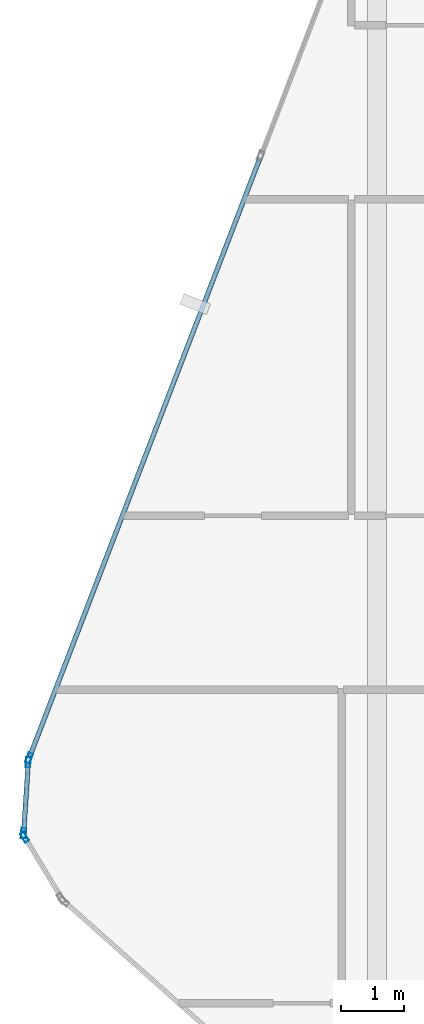
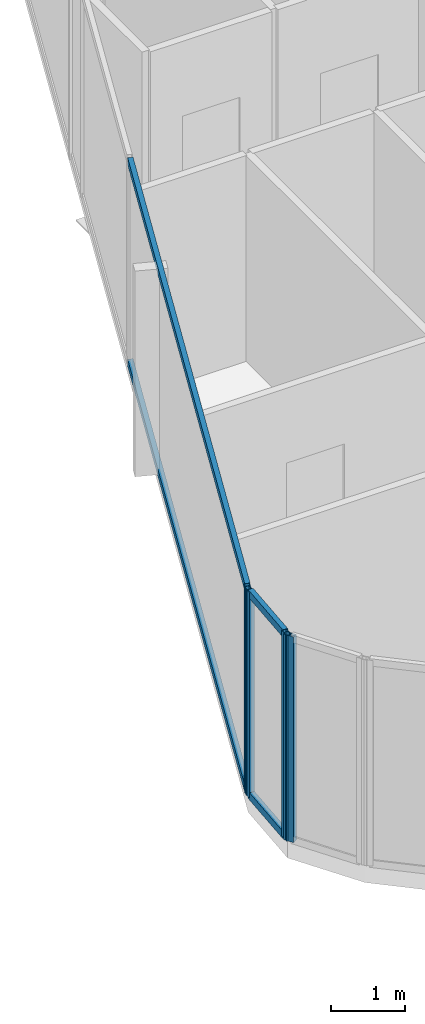
# One storey, part 8 of 27: 8 members, 3 elements without a shape of their own.
"""IFC4 building model written with IfcOpenShell, lengths in metres."""

from ifc_helpers import new_model, si_unit, direction, frame, origin, origin_2d, place, context, subcontext, project, spatial, hollow_rectangle, extrude, material, layer, layer_set, material_profile, profile_set, type_object, element, aggregate, save


model = new_model("IFC4")

# Units and contexts
model_context = context("Model", 3, precision=1e-05, world=origin(), true_north=direction((0.0, 1.0)))
body_context = subcontext(model_context, "Body", "Model", "MODEL_VIEW")
ifc_project = project(units=[si_unit("LENGTHUNIT", "METRE"), si_unit("AREAUNIT", "SQUARE_METRE"), si_unit("VOLUMEUNIT", "CUBIC_METRE"), si_unit("PLANEANGLEUNIT", "RADIAN"), si_unit("MASSUNIT", "GRAM", prefix="KILO")], contexts=[model_context])

# Site, building, storey
site_placement = place(None, origin())
site = spatial("IfcSite", under=ifc_project, at=site_placement, CompositionType="ELEMENT")
building_placement = place(site_placement, origin())
building = spatial("IfcBuilding", under=site, at=building_placement, Name="Keshet Zoharim Tower", CompositionType="ELEMENT")
storey_placement = place(building_placement, frame((0.0, 0.0, 295.39990234375)))
storey = spatial("IfcBuildingStorey", under=building, at=storey_placement, Name="L74", CompositionType="ELEMENT", Elevation=295.39990234375)

# Curtain wall, member
ifc_material = material(Name="Aluminium 6063-T6", Category="aluminium")
ifc_layer = layer(ifc_material, 0.260009765625)
ifc_layer_set = layer_set([ifc_layer], Name="Aluminium 6063-T6")
curtain_wall_type = type_object("IfcCurtainWallType", Name="CW-SYS-06", PredefinedType="NOTDEFINED", material=ifc_layer_set)
curtain_wall_1_placement = place(storey_placement, origin())
curtain_wall_1 = element("IfcCurtainWall", 1, at=curtain_wall_1_placement, inside=storey, type_object=curtain_wall_type, Name="L74 Unitised Curtain Wall 01", PredefinedType="NOTDEFINED")
ifc_material_profile_1 = material_profile(ifc_material, hollow_rectangle(XDim=0.074951171875, YDim=0.159912109375, WallThickness=0.00390625, at=origin_2d()), Name="MUL-75x160")
ifc_profile_set_1 = profile_set([ifc_material_profile_1], Name="Aluminium 6063-T6")
member_type_1 = type_object("IfcMemberType", Name="CWM-M15", PredefinedType="MULLION", material=ifc_profile_set_1)
member_1_placement = place(storey_placement, frame((3.43798828125, 22.77197265625, 0.0), z_axis=(0.0, 0.0, 1.0), x_axis=(-0.856826433805, -0.515604947933, 0.0)))
member_1 = element("IfcMember", 2, at=member_1_placement, type_object=member_type_1, Name="CW-06 mullion 2", PredefinedType="MULLION", context=body_context, shape_type="SweptSolid", body=[
    extrude(hollow_rectangle(XDim=0.074951171875, YDim=0.159912109375, WallThickness=0.00390625, at=origin_2d()), origin(), (0.0, 0.0, 1.0), 3.380126953125),
])
aggregate(curtain_wall_1, [member_1])

# Curtain wall, members
curtain_wall_2_placement = place(storey_placement, origin())
curtain_wall_2 = element("IfcCurtainWall", 3, at=curtain_wall_2_placement, inside=storey, type_object=curtain_wall_type, Name="L74 Unitised Curtain Wall 02", PredefinedType="NOTDEFINED")
member_2_placement = place(storey_placement, frame((3.42236328125, 22.8369140625, 0.0), z_axis=(0.0, 0.0, 1.0), x_axis=(-0.997916617186, 0.064516859374, 0.0)))
member_2 = element("IfcMember", 4, at=member_2_placement, type_object=member_type_1, Name="CW-06 mullion 1", PredefinedType="MULLION", context=body_context, shape_type="SweptSolid", body=[
    extrude(hollow_rectangle(XDim=0.074951171875, YDim=0.159912109375, WallThickness=0.00390625, at=origin_2d()), origin(), (0.0, 0.0, 1.0), 3.380126953125),
])
member_3_placement = place(storey_placement, frame((3.49462890625, 23.9580078125, 0.0), z_axis=(0.0, 0.0, 1.0), x_axis=(-0.997916617186, 0.064516859374, 0.0)))
member_3 = element("IfcMember", 5, at=member_3_placement, type_object=member_type_1, Name="CW-06 mullion 2", PredefinedType="MULLION", context=body_context, shape_type="SweptSolid", body=[
    extrude(hollow_rectangle(XDim=0.074951171875, YDim=0.159912109375, WallThickness=0.00390625, at=origin_2d()), origin(), (0.0, 0.0, 1.0), 3.380126953125),
])

# Curtain wall, member
curtain_wall_3_placement = place(storey_placement, origin())
curtain_wall_3 = element("IfcCurtainWall", 6, at=curtain_wall_3_placement, inside=storey, type_object=curtain_wall_type, Name="L74 Unitised Curtain Wall 03", PredefinedType="NOTDEFINED")
member_4_placement = place(storey_placement, frame((3.509521484375, 24.025634765625, 0.0), z_axis=(0.0, 0.0, 1.0), x_axis=(-0.933341404361, 0.358990003907, 0.0)))
member_4 = element("IfcMember", 7, at=member_4_placement, type_object=member_type_1, Name="CW-06 mullion 1", PredefinedType="MULLION", context=body_context, shape_type="SweptSolid", body=[
    extrude(hollow_rectangle(XDim=0.074951171875, YDim=0.159912109375, WallThickness=0.00390625, at=origin_2d()), origin(), (0.0, 0.0, 1.0), 3.380126953125),
])

# Member
ifc_material_profile_2 = material_profile(ifc_material, hollow_rectangle(XDim=0.074951171875, YDim=0.1201171875, WallThickness=0.00390625, at=origin_2d()), Name="TRN-75x120")
ifc_profile_set_2 = profile_set([ifc_material_profile_2], Name="Aluminium 6063-T6")
member_type_2 = type_object("IfcMemberType", Name="CWT-T12", PredefinedType="USERDEFINED", material=ifc_profile_set_2)
member_5_placement = place(storey_placement, frame((3.424560546875, 22.871826171875, 0.03515625), z_axis=(0.064426947155, 0.997922426083, 0.0), x_axis=(-0.997922426083, 0.064426947155, 0.0)))
member_5 = element("IfcMember", 8, at=member_5_placement, type_object=member_type_2, Name="CW-06 transom 1.1", ObjectType="TRANSOM", PredefinedType="USERDEFINED", context=body_context, shape_type="SweptSolid", body=[
    extrude(hollow_rectangle(XDim=0.074951171875, YDim=0.1201171875, WallThickness=0.00390625, at=origin_2d()), origin(), (0.0, 0.0, 1.0), 1.053466796875),
])

member_6_placement = place(storey_placement, frame((3.424560546875, 22.871826171875, 3.34521484375), z_axis=(0.064426947155, 0.997922426083, 0.0), x_axis=(-0.997922426083, 0.064426947155, 0.0)))
member_6 = element("IfcMember", 9, at=member_6_placement, type_object=member_type_2, Name="CW-06 transom 1.2", ObjectType="TRANSOM", PredefinedType="USERDEFINED", context=body_context, shape_type="SweptSolid", body=[
    extrude(hollow_rectangle(XDim=0.074951171875, YDim=0.1201171875, WallThickness=0.00390625, at=origin_2d()), origin(), (0.0, 0.0, 1.0), 1.053466796875),
])

aggregate(curtain_wall_2, [member_2, member_3, member_5, member_6])

member_7_placement = place(storey_placement, frame((3.522216796875, 24.058349609375, 0.03515625), z_axis=(0.358993631387, 0.93334000912, 0.0), x_axis=(-0.93334000912, 0.358993631387, 0.0)))
member_7 = element("IfcMember", 10, at=member_7_placement, type_object=member_type_2, Name="CW-06 transom 1.1", ObjectType="TRANSOM", PredefinedType="USERDEFINED", context=body_context, shape_type="SweptSolid", body=[
    extrude(hollow_rectangle(XDim=0.074951171875, YDim=0.1201171875, WallThickness=0.00390625, at=origin_2d()), origin(), (0.0, 0.0, 1.0), 10.1181640625),
])

member_8_placement = place(storey_placement, frame((3.522216796875, 24.058349609375, 3.34521484375), z_axis=(0.358993631387, 0.93334000912, 0.0), x_axis=(-0.93334000912, 0.358993631387, 0.0)))
member_8 = element("IfcMember", 11, at=member_8_placement, type_object=member_type_2, Name="CW-06 transom 1.2", ObjectType="TRANSOM", PredefinedType="USERDEFINED", context=body_context, shape_type="SweptSolid", body=[
    extrude(hollow_rectangle(XDim=0.074951171875, YDim=0.1201171875, WallThickness=0.00390625, at=origin_2d()), origin(), (0.0, 0.0, 1.0), 10.1181640625),
])

aggregate(curtain_wall_3, [member_4, member_7, member_8])

save(model, "model.ifc")
